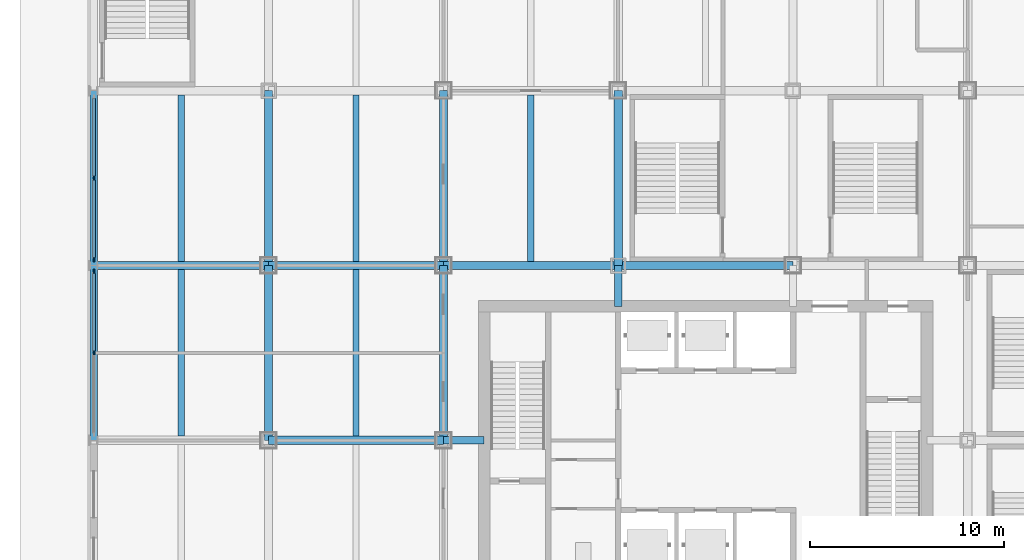
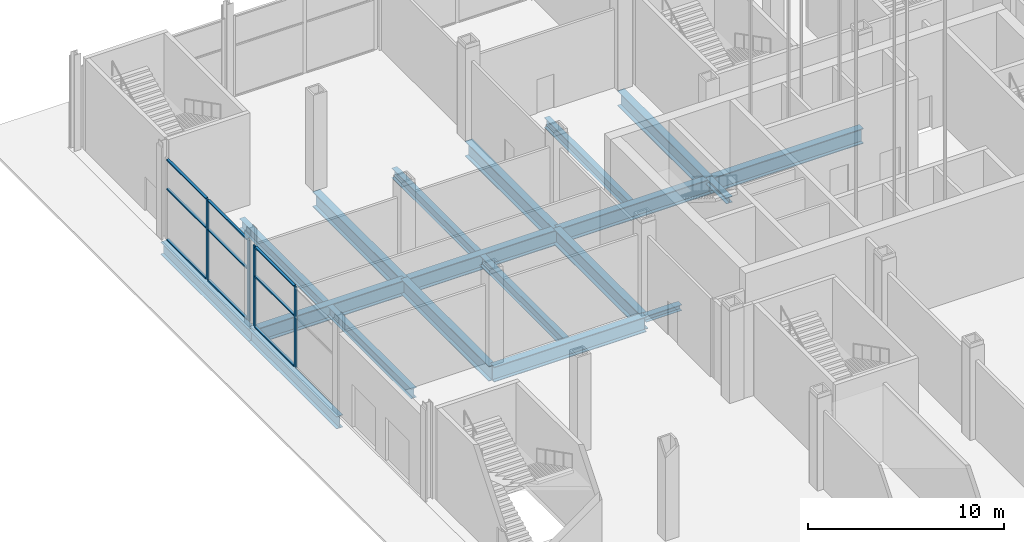
# One storey, part 10 of 34: 17 beams, 15 members, 2 elements without a shape of their own.
"""IFC4 building model written with IfcOpenShell, lengths in metres."""

from ifc_helpers import new_model, si_unit, direction, frame, origin, origin_2d, place, context, subcontext, project, spatial, rectangle, i_section, extrude, material, material_profile, profile_set, type_object, element, aggregate, save


model = new_model("IFC4")

# Units and contexts
model_context = context("Model", 3, precision=1e-05, world=origin(), true_north=direction((0.0, 1.0)))
body_context = subcontext(model_context, "Body", "Model", "MODEL_VIEW")
ifc_project = project(units=[si_unit("LENGTHUNIT", "METRE"), si_unit("AREAUNIT", "SQUARE_METRE"), si_unit("VOLUMEUNIT", "CUBIC_METRE"), si_unit("PLANEANGLEUNIT", "RADIAN"), si_unit("MASSUNIT", "GRAM", prefix="KILO")], contexts=[model_context])

# Site, building, storey
site_placement = place(None, origin())
site = spatial("IfcSite", under=ifc_project, at=site_placement, CompositionType="ELEMENT")
building_placement = place(site_placement, origin())
building = spatial("IfcBuilding", under=site, at=building_placement, Name="Loomwork Tower", CompositionType="ELEMENT")
storey_placement = place(building_placement, origin())
storey = spatial("IfcBuildingStorey", under=building, at=storey_placement, Name="L00", CompositionType="ELEMENT", Elevation=0.0)

# Members
ifc_material_1 = material(Name="Steel ASTM A992", Category="steel")
ifc_material_profile_1 = material_profile(ifc_material_1, i_section(OverallWidth=0.373291015625, OverallDepth=0.373291015625, WebThickness=0.016357421875, FlangeThickness=0.026123046875, at=origin_2d()), Name="W14x132")
ifc_profile_set_1 = profile_set([ifc_material_profile_1], Name="Steel ASTM A992")
member_type_1 = type_object("IfcMemberType", Name="CORE LINK STRUT W14x132", PredefinedType="STRUT", material=ifc_profile_set_1)
for number, where, z_axis, x_axis, name in (
    (1, (18.0, 27.0, -0.486572265625), (0.0, -1.0, 0.0), (1.0, 0.0, 0.0), "Core link strut G/4-18.000,24.900 L00"),
    (2, (9.0, 18.0, -0.486572265625), (1.0, 0.0, 0.0), (0.0, 1.0, 0.0), "Core link strut F/3-11.100,18.000 L00"),
):
    element("IfcMember", number, at=place(storey_placement, frame(where, z_axis=z_axis, x_axis=x_axis)), inside=storey, type_object=member_type_1, Name=name, PredefinedType="STRUT", context=body_context, shape_type="SweptSolid", body=[
        extrude(i_section(OverallWidth=0.373291015625, OverallDepth=0.373291015625, WebThickness=0.016357421875, FlangeThickness=0.026123046875, at=origin_2d()), origin(), (0.0, 0.0, 1.0), 2.10009765625),
    ])

# Beams
ifc_material_2 = material(Name="Steel ASTM A992", Category="steel")
ifc_material_profile_2 = material_profile(ifc_material_2, i_section(OverallWidth=0.381103515625, OverallDepth=0.77978515625, WebThickness=0.01806640625, FlangeThickness=0.0302734375, at=origin_2d()), Name="W30x191")
ifc_profile_set_2 = profile_set([ifc_material_profile_2], Name="Steel ASTM A992")
beam_type_1 = type_object("IfcBeamType", Name="EDGE GIRDER W30x191", PredefinedType="BEAM", material=ifc_profile_set_2)
for number, where, z_axis, x_axis, name in (
    (3, (-9.0, 18.0, -0.68994140625), (0.0, 1.0, 0.0), (-1.0, 0.0, 0.0), "Edge Girder F/1-G/1 L00"),
    (4, (-9.0, 27.0, -0.68994140625), (0.0, 1.0, 0.0), (-1.0, 0.0, 0.0), "Edge Girder G/1-H/1 L00"),
):
    element("IfcBeam", number, at=place(storey_placement, frame(where, z_axis=z_axis, x_axis=x_axis)), inside=storey, type_object=beam_type_1, Name=name, PredefinedType="BEAM", context=body_context, shape_type="SweptSolid", body=[
        extrude(i_section(OverallWidth=0.381103515625, OverallDepth=0.77978515625, WebThickness=0.01806640625, FlangeThickness=0.0302734375, at=origin_2d()), origin(), (0.0, 0.0, 1.0), 9.0),
    ])
ifc_material_3 = material(Name="Steel ASTM A992", Category="steel")
ifc_material_profile_3 = material_profile(ifc_material_3, i_section(OverallWidth=0.3251953125, OverallDepth=0.612060546875, WebThickness=0.0126953125, FlangeThickness=0.01904296875, at=origin_2d()), Name="W24x104")
ifc_profile_set_3 = profile_set([ifc_material_profile_3], Name="Steel ASTM A992")
beam_type_2 = type_object("IfcBeamType", Name="FLOOR JOIST W24x104", PredefinedType="JOIST", material=ifc_profile_set_3)
for number, where, z_axis, x_axis, name in (
    (5, (-4.5, 18.2119140625, -0.60595703125), (0.0, 1.0, 0.0), (-1.0, 0.0, 0.0), "Floor Joist -4.500,18.000--4.500,27.000 L00"),
    (6, (-4.5, 27.2119140625, -0.60595703125), (0.0, 1.0, 0.0), (-1.0, 0.0, 0.0), "Floor Joist -4.500,27.000--4.500,36.000 L00"),
    (7, (4.5, 18.2119140625, -0.60595703125), (0.0, 1.0, 0.0), (-1.0, 0.0, 0.0), "Floor Joist 4.500,18.000-4.500,27.000 L00"),
    (8, (4.5, 27.2119140625, -0.60595703125), (0.0, 1.0, 0.0), (-1.0, 0.0, 0.0), "Floor Joist 4.500,27.000-4.500,36.000 L00"),
    (9, (13.5, 27.2119140625, -0.60595703125), (0.0, 1.0, 0.0), (-1.0, 0.0, 0.0), "Floor Joist 13.500,27.000-13.500,36.000 L00"),
):
    element("IfcBeam", number, at=place(storey_placement, frame(where, z_axis=z_axis, x_axis=x_axis)), inside=storey, type_object=beam_type_2, Name=name, PredefinedType="JOIST", context=body_context, shape_type="SweptSolid", body=[
        extrude(i_section(OverallWidth=0.3251953125, OverallDepth=0.612060546875, WebThickness=0.0126953125, FlangeThickness=0.01904296875, at=origin_2d()), origin(), (0.0, 0.0, 1.0), 8.576171875),
    ])

# Curtain wall, members
ifc_material_4 = material(Name="Aluminium storefront frame", Category="aluminium")
curtain_wall_type = type_object("IfcCurtainWallType", Name="Storefront glazing", PredefinedType="NOTDEFINED", material=ifc_material_4)
curtain_wall_1_placement = place(storey_placement, origin())
curtain_wall_1 = element("IfcCurtainWall", 10, at=curtain_wall_1_placement, inside=storey, type_object=curtain_wall_type, Name="Storefront glazing cw/W-18", PredefinedType="NOTDEFINED")
ifc_material_5 = material(Name="Aluminium storefront frame", Category="aluminium")
ifc_material_profile_4 = material_profile(ifc_material_5, rectangle(XDim=0.074951171875, YDim=0.199951171875, at=origin_2d()), Name="AL 75x200")
ifc_profile_set_4 = profile_set([ifc_material_profile_4], Name="Aluminium storefront frame")
member_type_2 = type_object("IfcMemberType", Name="Storefront glazing mullion", PredefinedType="MULLION", material=ifc_profile_set_4)
member_1_placement = place(storey_placement, frame((-9.0, 26.69921875, 0.0), z_axis=(0.0, 0.0, 1.0), x_axis=(1.0, 0.0, 0.0)))
member_1 = element("IfcMember", 11, at=member_1_placement, type_object=member_type_2, Name="CW7 mullion 1", PredefinedType="MULLION", context=body_context, shape_type="SweptSolid", body=[
    extrude(rectangle(XDim=0.074951171875, YDim=0.199951171875, at=origin_2d()), origin(), (0.0, 0.0, 1.0), 5.053955078125),
])
member_2_placement = place(storey_placement, frame((-9.0, 22.5, 0.0), z_axis=(0.0, 0.0, 1.0), x_axis=(1.0, 0.0, 0.0)))
member_2 = element("IfcMember", 12, at=member_2_placement, type_object=member_type_2, Name="CW7 mullion 2", PredefinedType="MULLION", context=body_context, shape_type="SweptSolid", body=[
    extrude(rectangle(XDim=0.074951171875, YDim=0.199951171875, at=origin_2d()), origin(), (0.0, 0.0, 1.0), 5.053955078125),
])

curtain_wall_2_placement = place(storey_placement, origin())
curtain_wall_2 = element("IfcCurtainWall", 13, at=curtain_wall_2_placement, inside=storey, type_object=curtain_wall_type, Name="Storefront glazing cw/W-27", PredefinedType="NOTDEFINED")
member_3_placement = place(storey_placement, frame((-9.0, 31.5, 0.0), z_axis=(0.0, 0.0, 1.0), x_axis=(1.0, 0.0, 0.0)))
member_3 = element("IfcMember", 14, at=member_3_placement, type_object=member_type_2, Name="CW7 mullion 2", PredefinedType="MULLION", context=body_context, shape_type="SweptSolid", body=[
    extrude(rectangle(XDim=0.074951171875, YDim=0.199951171875, at=origin_2d()), origin(), (0.0, 0.0, 1.0), 5.053955078125),
])
member_4_placement = place(storey_placement, frame((-9.0, 27.30078125, 0.0), z_axis=(0.0, 0.0, 1.0), x_axis=(1.0, 0.0, 0.0)))
member_4 = element("IfcMember", 15, at=member_4_placement, type_object=member_type_2, Name="CW7 mullion 3", PredefinedType="MULLION", context=body_context, shape_type="SweptSolid", body=[
    extrude(rectangle(XDim=0.074951171875, YDim=0.199951171875, at=origin_2d()), origin(), (0.0, 0.0, 1.0), 5.053955078125),
])

# Member
ifc_material_6 = material(Name="Aluminium storefront frame", Category="aluminium")
ifc_material_profile_5 = material_profile(ifc_material_6, rectangle(XDim=0.14990234375, YDim=0.074951171875, at=origin_2d()), Name="AL 75x150")
ifc_profile_set_5 = profile_set([ifc_material_profile_5], Name="Aluminium storefront frame")
member_type_3 = type_object("IfcMemberType", Name="Storefront glazing transom", PredefinedType="USERDEFINED", material=ifc_profile_set_5)
member_5_placement = place(storey_placement, frame((-9.0, 26.599365234375, 0.03759765625), z_axis=(0.0, -1.0, 0.0), x_axis=(1.0, 0.0, 0.0)))
member_5 = element("IfcMember", 16, at=member_5_placement, type_object=member_type_3, Name="CW7 transom 1.1", ObjectType="TRANSOM", PredefinedType="USERDEFINED", context=body_context, shape_type="SweptSolid", body=[
    extrude(rectangle(XDim=0.14990234375, YDim=0.074951171875, at=origin_2d()), origin(), (0.0, 0.0, 1.0), 3.999267578125),
])

member_6_placement = place(storey_placement, frame((-9.0, 26.599365234375, 3.199951171875), z_axis=(0.0, -1.0, 0.0), x_axis=(1.0, 0.0, 0.0)))
member_6 = element("IfcMember", 17, at=member_6_placement, type_object=member_type_3, Name="CW7 transom 1.2", ObjectType="TRANSOM", PredefinedType="USERDEFINED", context=body_context, shape_type="SweptSolid", body=[
    extrude(rectangle(XDim=0.14990234375, YDim=0.074951171875, at=origin_2d()), origin(), (0.0, 0.0, 1.0), 3.999267578125),
])

member_7_placement = place(storey_placement, frame((-9.0, 26.599365234375, 5.0166015625), z_axis=(0.0, -1.0, 0.0), x_axis=(1.0, 0.0, 0.0)))
member_7 = element("IfcMember", 18, at=member_7_placement, type_object=member_type_3, Name="CW7 transom 1.3", ObjectType="TRANSOM", PredefinedType="USERDEFINED", context=body_context, shape_type="SweptSolid", body=[
    extrude(rectangle(XDim=0.14990234375, YDim=0.074951171875, at=origin_2d()), origin(), (0.0, 0.0, 1.0), 3.999267578125),
])

aggregate(curtain_wall_1, [member_1, member_2, member_5, member_6, member_7])

member_8_placement = place(storey_placement, frame((-9.0, 35.599365234375, 0.03759765625), z_axis=(0.0, -1.0, 0.0), x_axis=(1.0, 0.0, 0.0)))
member_8 = element("IfcMember", 19, at=member_8_placement, type_object=member_type_3, Name="CW7 transom 1.1", ObjectType="TRANSOM", PredefinedType="USERDEFINED", context=body_context, shape_type="SweptSolid", body=[
    extrude(rectangle(XDim=0.14990234375, YDim=0.074951171875, at=origin_2d()), origin(), (0.0, 0.0, 1.0), 3.999267578125),
])

member_9_placement = place(storey_placement, frame((-9.0, 35.599365234375, 3.199951171875), z_axis=(0.0, -1.0, 0.0), x_axis=(1.0, 0.0, 0.0)))
member_9 = element("IfcMember", 20, at=member_9_placement, type_object=member_type_3, Name="CW7 transom 1.2", ObjectType="TRANSOM", PredefinedType="USERDEFINED", context=body_context, shape_type="SweptSolid", body=[
    extrude(rectangle(XDim=0.14990234375, YDim=0.074951171875, at=origin_2d()), origin(), (0.0, 0.0, 1.0), 3.999267578125),
])

member_10_placement = place(storey_placement, frame((-9.0, 35.599365234375, 5.0166015625), z_axis=(0.0, -1.0, 0.0), x_axis=(1.0, 0.0, 0.0)))
member_10 = element("IfcMember", 21, at=member_10_placement, type_object=member_type_3, Name="CW7 transom 1.3", ObjectType="TRANSOM", PredefinedType="USERDEFINED", context=body_context, shape_type="SweptSolid", body=[
    extrude(rectangle(XDim=0.14990234375, YDim=0.074951171875, at=origin_2d()), origin(), (0.0, 0.0, 1.0), 3.999267578125),
])

member_11_placement = place(storey_placement, frame((-9.0, 31.39990234375, 0.03759765625), z_axis=(0.0, -1.0, 0.0), x_axis=(1.0, 0.0, 0.0)))
member_11 = element("IfcMember", 22, at=member_11_placement, type_object=member_type_3, Name="CW7 transom 2.1", ObjectType="TRANSOM", PredefinedType="USERDEFINED", context=body_context, shape_type="SweptSolid", body=[
    extrude(rectangle(XDim=0.14990234375, YDim=0.074951171875, at=origin_2d()), origin(), (0.0, 0.0, 1.0), 3.999267578125),
])

member_12_placement = place(storey_placement, frame((-9.0, 31.39990234375, 3.199951171875), z_axis=(0.0, -1.0, 0.0), x_axis=(1.0, 0.0, 0.0)))
member_12 = element("IfcMember", 23, at=member_12_placement, type_object=member_type_3, Name="CW7 transom 2.2", ObjectType="TRANSOM", PredefinedType="USERDEFINED", context=body_context, shape_type="SweptSolid", body=[
    extrude(rectangle(XDim=0.14990234375, YDim=0.074951171875, at=origin_2d()), origin(), (0.0, 0.0, 1.0), 3.999267578125),
])

member_13_placement = place(storey_placement, frame((-9.0, 31.39990234375, 5.0166015625), z_axis=(0.0, -1.0, 0.0), x_axis=(1.0, 0.0, 0.0)))
member_13 = element("IfcMember", 24, at=member_13_placement, type_object=member_type_3, Name="CW7 transom 2.3", ObjectType="TRANSOM", PredefinedType="USERDEFINED", context=body_context, shape_type="SweptSolid", body=[
    extrude(rectangle(XDim=0.14990234375, YDim=0.074951171875, at=origin_2d()), origin(), (0.0, 0.0, 1.0), 3.999267578125),
])

aggregate(curtain_wall_2, [member_3, member_4, member_8, member_9, member_10, member_11, member_12, member_13])

# Beams
ifc_material_7 = material(Name="Steel ASTM A992", Category="steel")
ifc_material_profile_6 = material_profile(ifc_material_7, i_section(OverallWidth=0.424072265625, OverallDepth=0.947509765625, WebThickness=0.02392578125, FlangeThickness=0.042724609375, at=origin_2d()), Name="W36x302")
ifc_profile_set_6 = profile_set([ifc_material_profile_6], Name="Steel ASTM A992")
beam_type_3 = type_object("IfcBeamType", Name="TRANSFER FLOOR GIRDER W36x302", PredefinedType="BEAM", material=ifc_profile_set_6)
for number, where, z_axis, x_axis, name in (
    (25, (0.0, 18.0, -0.773681640625), (1.0, 0.0, 0.0), (0.0, 1.0, 0.0), "Transfer Floor Girder F/2-F/3 L00"),
    (26, (-9.0, 27.0, -0.773681640625), (1.0, 0.0, 0.0), (0.0, 1.0, 0.0), "Transfer Floor Girder G/1-G/2 L00"),
    (27, (0.0, 27.0, -0.773681640625), (1.0, 0.0, 0.0), (0.0, 1.0, 0.0), "Transfer Floor Girder G/2-G/3 L00"),
    (28, (9.0, 27.0, -0.773681640625), (1.0, 0.0, 0.0), (0.0, 1.0, 0.0), "Transfer Floor Girder G/3-G/4 L00"),
    (29, (18.0, 27.0, -0.773681640625), (1.0, 0.0, 0.0), (0.0, 1.0, 0.0), "Transfer Floor Girder G/4-G/5 L00"),
    (30, (0.0, 18.0, -0.773681640625), (0.0, 1.0, 0.0), (-1.0, 0.0, 0.0), "Transfer Floor Girder F/2-G/2 L00"),
    (31, (0.0, 27.0, -0.773681640625), (0.0, 1.0, 0.0), (-1.0, 0.0, 0.0), "Transfer Floor Girder G/2-H/2 L00"),
    (32, (9.0, 18.0, -0.773681640625), (0.0, 1.0, 0.0), (-1.0, 0.0, 0.0), "Transfer Floor Girder F/3-G/3 L00"),
    (33, (9.0, 27.0, -0.773681640625), (0.0, 1.0, 0.0), (-1.0, 0.0, 0.0), "Transfer Floor Girder G/3-H/3 L00"),
    (34, (18.0, 27.0, -0.773681640625), (0.0, 1.0, 0.0), (-1.0, 0.0, 0.0), "Transfer Floor Girder G/4-H/4 L00"),
):
    element("IfcBeam", number, at=place(storey_placement, frame(where, z_axis=z_axis, x_axis=x_axis)), inside=storey, type_object=beam_type_3, Name=name, PredefinedType="BEAM", context=body_context, shape_type="SweptSolid", body=[
        extrude(i_section(OverallWidth=0.424072265625, OverallDepth=0.947509765625, WebThickness=0.02392578125, FlangeThickness=0.042724609375, at=origin_2d()), origin(), (0.0, 0.0, 1.0), 9.0),
    ])

save(model, "model.ifc")
